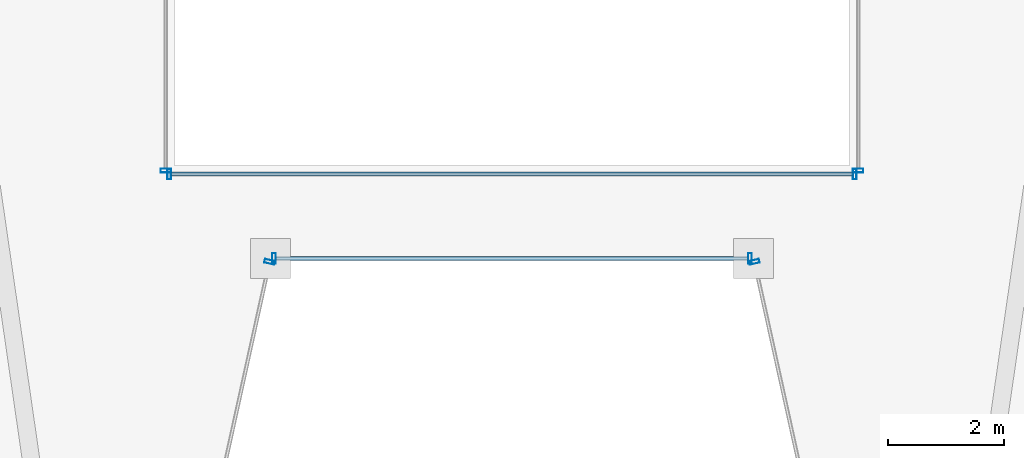
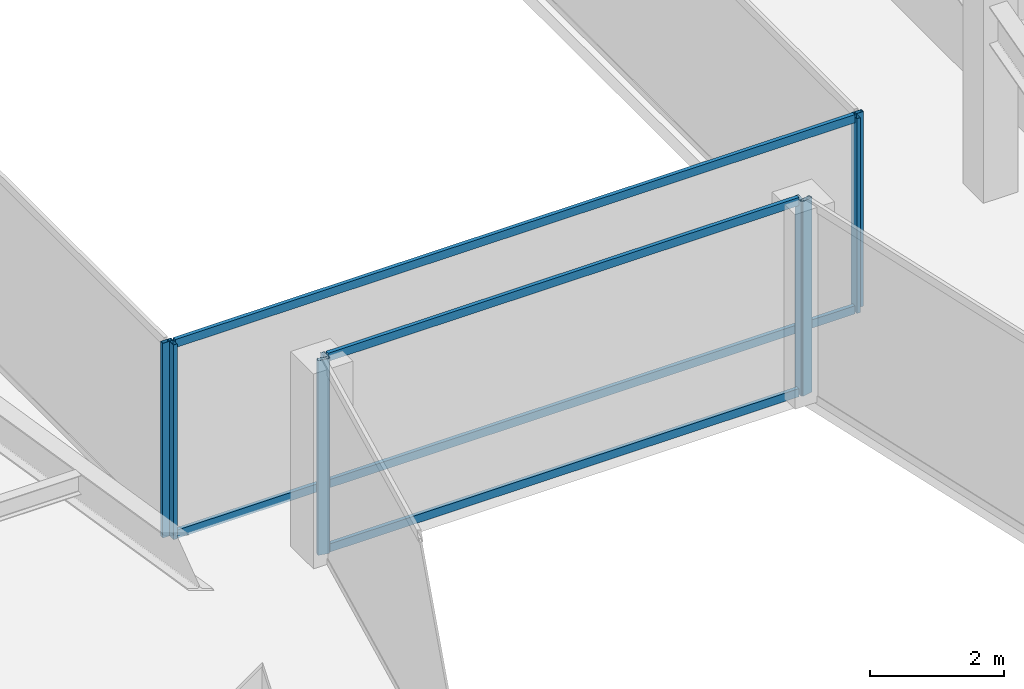
# One storey, part 7 of 36: 12 members, 6 elements without a shape of their own.
"""IFC4 building model written with IfcOpenShell, lengths in metres."""

from ifc_helpers import new_model, si_unit, direction, frame, origin, origin_2d, place, context, subcontext, project, spatial, hollow_rectangle, extrude, material, material_profile, profile_set, type_object, element, aggregate, save


model = new_model("IFC4")

# Units and contexts
model_context = context("Model", 3, precision=1e-05, world=origin(), true_north=direction((0.0, 1.0)))
body_context = subcontext(model_context, "Body", "Model", "MODEL_VIEW")
ifc_project = project(units=[si_unit("LENGTHUNIT", "METRE"), si_unit("AREAUNIT", "SQUARE_METRE"), si_unit("VOLUMEUNIT", "CUBIC_METRE"), si_unit("PLANEANGLEUNIT", "RADIAN"), si_unit("MASSUNIT", "GRAM", prefix="KILO")], contexts=[model_context])

# Site, building, storey
site_placement = place(None, origin())
site = spatial("IfcSite", under=ifc_project, at=site_placement, CompositionType="ELEMENT")
building_placement = place(site_placement, origin())
building = spatial("IfcBuilding", under=site, at=building_placement, Name="Saevonmaru Cultural Tower", CompositionType="ELEMENT")
storey_placement = place(building_placement, frame((0.0, 0.0, 148.60009765625)))
storey = spatial("IfcBuildingStorey", under=building, at=storey_placement, Name="L32", CompositionType="ELEMENT", Elevation=148.60009765625)

# Curtain wall, member
ifc_material = material(Name="Satin Bronze Anodised Aluminium", Category="aluminium")
curtain_wall_type_1 = type_object("IfcCurtainWallType", Name="CW-TYP-A", PredefinedType="NOTDEFINED", material=ifc_material)
curtain_wall_1_placement = place(storey_placement, origin())
curtain_wall_1 = element("IfcCurtainWall", 1, at=curtain_wall_1_placement, inside=storey, type_object=curtain_wall_type_1, Name="L32 Unitised Curtain Wall E3", PredefinedType="NOTDEFINED")
ifc_material_profile_1 = material_profile(ifc_material, hollow_rectangle(XDim=0.06494140625, YDim=0.179931640625, WallThickness=0.00390625, at=origin_2d()), Name="ALU-MULL-180x65x4")
ifc_profile_set_1 = profile_set([ifc_material_profile_1], Name="Satin Bronze Anodised Aluminium")
member_type_1 = type_object("IfcMemberType", Name="ML-CW-180x65", PredefinedType="MULLION", material=ifc_profile_set_1)
member_1_placement = place(storey_placement, frame((25.8359375, 20.741455078125, 0.0), z_axis=(0.0, 0.0, 1.0), x_axis=(0.215413319953, 0.976522965212, 0.0)))
member_1 = element("IfcMember", 2, at=member_1_placement, type_object=member_type_1, Name="CW-TW-L32-E3 mullion 2", PredefinedType="MULLION", context=body_context, shape_type="SweptSolid", body=[
    extrude(hollow_rectangle(XDim=0.06494140625, YDim=0.179931640625, WallThickness=0.00390625, at=origin_2d()), origin(), (0.0, 0.0, 1.0), 3.5498046875),
])
aggregate(curtain_wall_1, [member_1])

# Curtain wall, members
curtain_wall_2_placement = place(storey_placement, origin())
curtain_wall_2 = element("IfcCurtainWall", 3, at=curtain_wall_2_placement, inside=storey, type_object=curtain_wall_type_1, Name="L32 Unitised Curtain Wall E4", PredefinedType="NOTDEFINED")
member_2_placement = place(storey_placement, frame((25.908935546875, 20.800048828125, 0.0), z_axis=(0.0, 0.0, 1.0), x_axis=(1.0, 0.0, 0.0)))
member_2 = element("IfcMember", 4, at=member_2_placement, type_object=member_type_1, Name="CW-TW-L32-E4 mullion 1", PredefinedType="MULLION", context=body_context, shape_type="SweptSolid", body=[
    extrude(hollow_rectangle(XDim=0.06494140625, YDim=0.179931640625, WallThickness=0.00390625, at=origin_2d()), origin(), (0.0, 0.0, 1.0), 3.5498046875),
])
member_3_placement = place(storey_placement, frame((34.091064453125, 20.800048828125, 0.0), z_axis=(0.0, 0.0, 1.0), x_axis=(1.0, 0.0, 0.0)))
member_3 = element("IfcMember", 5, at=member_3_placement, type_object=member_type_1, Name="CW-TW-L32-E4 mullion 2", PredefinedType="MULLION", context=body_context, shape_type="SweptSolid", body=[
    extrude(hollow_rectangle(XDim=0.06494140625, YDim=0.179931640625, WallThickness=0.00390625, at=origin_2d()), origin(), (0.0, 0.0, 1.0), 3.5498046875),
])

# Curtain wall, member
curtain_wall_3_placement = place(storey_placement, origin())
curtain_wall_3 = element("IfcCurtainWall", 6, at=curtain_wall_3_placement, inside=storey, type_object=curtain_wall_type_1, Name="L32 Unitised Curtain Wall E5", PredefinedType="NOTDEFINED")
member_4_placement = place(storey_placement, frame((34.1640625, 20.741455078125, 0.0), z_axis=(0.0, 0.0, 1.0), x_axis=(0.215413319953, -0.976522965212, 0.0)))
member_4 = element("IfcMember", 7, at=member_4_placement, type_object=member_type_1, Name="CW-TW-L32-E5 mullion 1", PredefinedType="MULLION", context=body_context, shape_type="SweptSolid", body=[
    extrude(hollow_rectangle(XDim=0.06494140625, YDim=0.179931640625, WallThickness=0.00390625, at=origin_2d()), origin(), (0.0, 0.0, 1.0), 3.5498046875),
])
aggregate(curtain_wall_3, [member_4])

# Curtain wall, members
curtain_wall_type_2 = type_object("IfcCurtainWallType", Name="CW-ATR-GLZ", PredefinedType="NOTDEFINED", material=ifc_material)
curtain_wall_4_placement = place(storey_placement, origin())
curtain_wall_4 = element("IfcCurtainWall", 8, at=curtain_wall_4_placement, inside=storey, type_object=curtain_wall_type_2, Name="L32 Vertical Atrium Glazed Smoke Screen 1", PredefinedType="NOTDEFINED")
ifc_material_profile_2 = material_profile(ifc_material, hollow_rectangle(XDim=0.06494140625, YDim=0.179931640625, WallThickness=0.00390625, at=origin_2d()), Name="ALU-MULL-180x65x4")
ifc_profile_set_2 = profile_set([ifc_material_profile_2], Name="Satin Bronze Anodised Aluminium")
member_type_2 = type_object("IfcMemberType", Name="ML-CW-INT-180x65", PredefinedType="MULLION", material=ifc_profile_set_2)
member_5_placement = place(storey_placement, frame((24.110107421875, 22.25, 0.0), z_axis=(0.0, 0.0, 1.0), x_axis=(1.0, 0.0, 0.0)))
member_5 = element("IfcMember", 9, at=member_5_placement, type_object=member_type_2, Name="CW-ATR-L32-1 mullion 1", PredefinedType="MULLION", context=body_context, shape_type="SweptSolid", body=[
    extrude(hollow_rectangle(XDim=0.06494140625, YDim=0.179931640625, WallThickness=0.00390625, at=origin_2d()), origin(), (0.0, 0.0, 1.0), 3.5498046875),
])
member_6_placement = place(storey_placement, frame((35.889892578125, 22.25, 0.0), z_axis=(0.0, 0.0, 1.0), x_axis=(1.0, 0.0, 0.0)))
member_6 = element("IfcMember", 10, at=member_6_placement, type_object=member_type_2, Name="CW-ATR-L32-1 mullion 2", PredefinedType="MULLION", context=body_context, shape_type="SweptSolid", body=[
    extrude(hollow_rectangle(XDim=0.06494140625, YDim=0.179931640625, WallThickness=0.00390625, at=origin_2d()), origin(), (0.0, 0.0, 1.0), 3.5498046875),
])

# Curtain wall, member
curtain_wall_5_placement = place(storey_placement, origin())
curtain_wall_5 = element("IfcCurtainWall", 11, at=curtain_wall_5_placement, inside=storey, type_object=curtain_wall_type_2, Name="L32 Vertical Atrium Glazed Smoke Screen 2", PredefinedType="NOTDEFINED")
member_7_placement = place(storey_placement, frame((35.949951171875, 22.31005859375, 0.0), z_axis=(0.0, 0.0, 1.0), x_axis=(0.0, 1.0, 0.0)))
member_7 = element("IfcMember", 12, at=member_7_placement, type_object=member_type_2, Name="CW-ATR-L32-2 mullion 1", PredefinedType="MULLION", context=body_context, shape_type="SweptSolid", body=[
    extrude(hollow_rectangle(XDim=0.06494140625, YDim=0.179931640625, WallThickness=0.00390625, at=origin_2d()), origin(), (0.0, 0.0, 1.0), 3.5498046875),
])
aggregate(curtain_wall_5, [member_7])

curtain_wall_6_placement = place(storey_placement, origin())
curtain_wall_6 = element("IfcCurtainWall", 13, at=curtain_wall_6_placement, inside=storey, type_object=curtain_wall_type_2, Name="L32 Vertical Atrium Glazed Smoke Screen 4", PredefinedType="NOTDEFINED")
member_8_placement = place(storey_placement, frame((24.050048828125, 22.31005859375, 0.0), z_axis=(0.0, 0.0, 1.0), x_axis=(0.0, -1.0, 0.0)))
member_8 = element("IfcMember", 14, at=member_8_placement, type_object=member_type_2, Name="CW-ATR-L32-4 mullion 2", PredefinedType="MULLION", context=body_context, shape_type="SweptSolid", body=[
    extrude(hollow_rectangle(XDim=0.06494140625, YDim=0.179931640625, WallThickness=0.00390625, at=origin_2d()), origin(), (0.0, 0.0, 1.0), 3.5498046875),
])
aggregate(curtain_wall_6, [member_8])

# Member
ifc_material_profile_3 = material_profile(ifc_material, hollow_rectangle(XDim=0.06494140625, YDim=0.14990234375, WallThickness=0.00390625, at=origin_2d()), Name="ALU-TRAN-150x65x4")
ifc_profile_set_3 = profile_set([ifc_material_profile_3], Name="Satin Bronze Anodised Aluminium")
member_type_3 = type_object("IfcMemberType", Name="TR-CW-150x65", PredefinedType="USERDEFINED", material=ifc_profile_set_3)
member_9_placement = place(storey_placement, frame((25.94140625, 20.800048828125, 0.032470703125), z_axis=(1.0, 0.0, 0.0), x_axis=(0.0, 1.0, 0.0)))
member_9 = element("IfcMember", 15, at=member_9_placement, type_object=member_type_3, Name="CW-TW-L32-E4 transom 1.1", ObjectType="TRANSOM", PredefinedType="USERDEFINED", context=body_context, shape_type="SweptSolid", body=[
    extrude(hollow_rectangle(XDim=0.06494140625, YDim=0.14990234375, WallThickness=0.00390625, at=origin_2d()), origin(), (0.0, 0.0, 1.0), 8.1171875),
])

member_10_placement = place(storey_placement, frame((25.94140625, 20.800048828125, 3.517333984375), z_axis=(1.0, 0.0, 0.0), x_axis=(0.0, 1.0, 0.0)))
member_10 = element("IfcMember", 16, at=member_10_placement, type_object=member_type_3, Name="CW-TW-L32-E4 transom 1.2", ObjectType="TRANSOM", PredefinedType="USERDEFINED", context=body_context, shape_type="SweptSolid", body=[
    extrude(hollow_rectangle(XDim=0.06494140625, YDim=0.14990234375, WallThickness=0.00390625, at=origin_2d()), origin(), (0.0, 0.0, 1.0), 8.1171875),
])

aggregate(curtain_wall_2, [member_2, member_3, member_9, member_10])

ifc_material_profile_4 = material_profile(ifc_material, hollow_rectangle(XDim=0.06494140625, YDim=0.14990234375, WallThickness=0.00390625, at=origin_2d()), Name="ALU-TRAN-150x65x4")
ifc_profile_set_4 = profile_set([ifc_material_profile_4], Name="Satin Bronze Anodised Aluminium")
member_type_4 = type_object("IfcMemberType", Name="TR-CW-INT-150x65", PredefinedType="USERDEFINED", material=ifc_profile_set_4)
member_11_placement = place(storey_placement, frame((24.142578125, 22.25, 0.032470703125), z_axis=(1.0, 0.0, 0.0), x_axis=(0.0, 1.0, 0.0)))
member_11 = element("IfcMember", 17, at=member_11_placement, type_object=member_type_4, Name="CW-ATR-L32-1 transom 1.1", ObjectType="TRANSOM", PredefinedType="USERDEFINED", context=body_context, shape_type="SweptSolid", body=[
    extrude(hollow_rectangle(XDim=0.06494140625, YDim=0.14990234375, WallThickness=0.00390625, at=origin_2d()), origin(), (0.0, 0.0, 1.0), 11.71484375),
])

member_12_placement = place(storey_placement, frame((24.142578125, 22.25, 3.517333984375), z_axis=(1.0, 0.0, 0.0), x_axis=(0.0, 1.0, 0.0)))
member_12 = element("IfcMember", 18, at=member_12_placement, type_object=member_type_4, Name="CW-ATR-L32-1 transom 1.2", ObjectType="TRANSOM", PredefinedType="USERDEFINED", context=body_context, shape_type="SweptSolid", body=[
    extrude(hollow_rectangle(XDim=0.06494140625, YDim=0.14990234375, WallThickness=0.00390625, at=origin_2d()), origin(), (0.0, 0.0, 1.0), 11.71484375),
])

aggregate(curtain_wall_4, [member_5, member_6, member_11, member_12])

save(model, "model.ifc")
